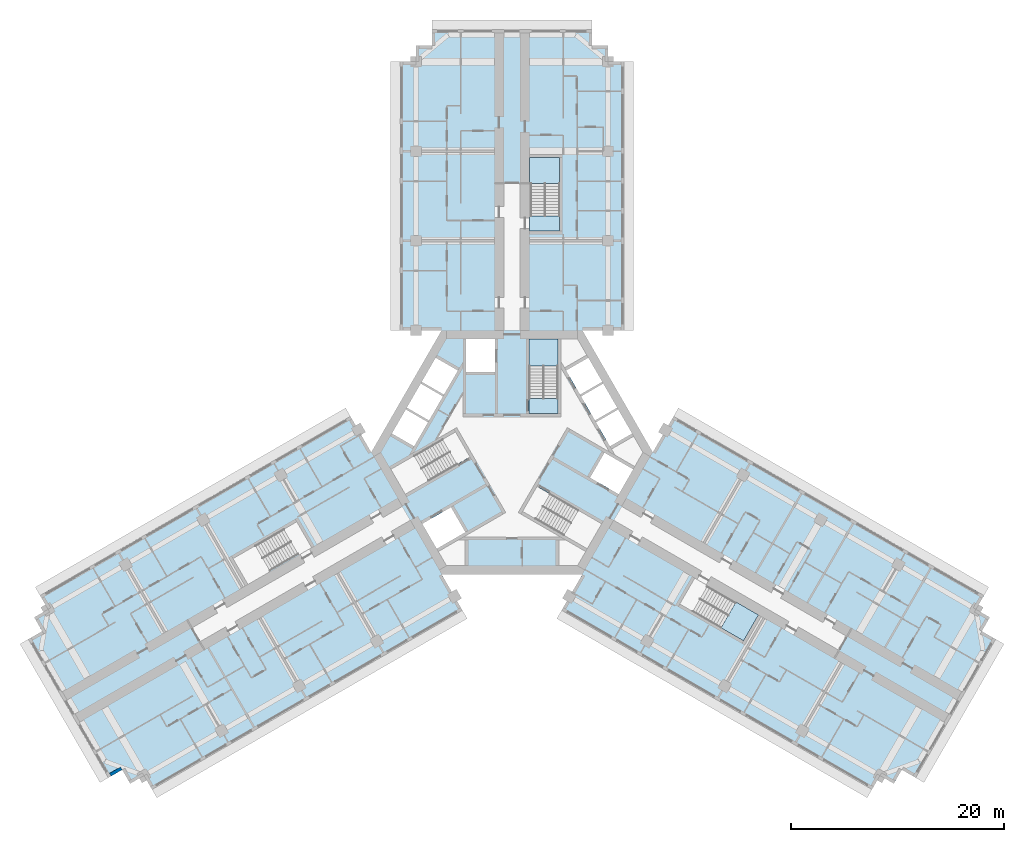
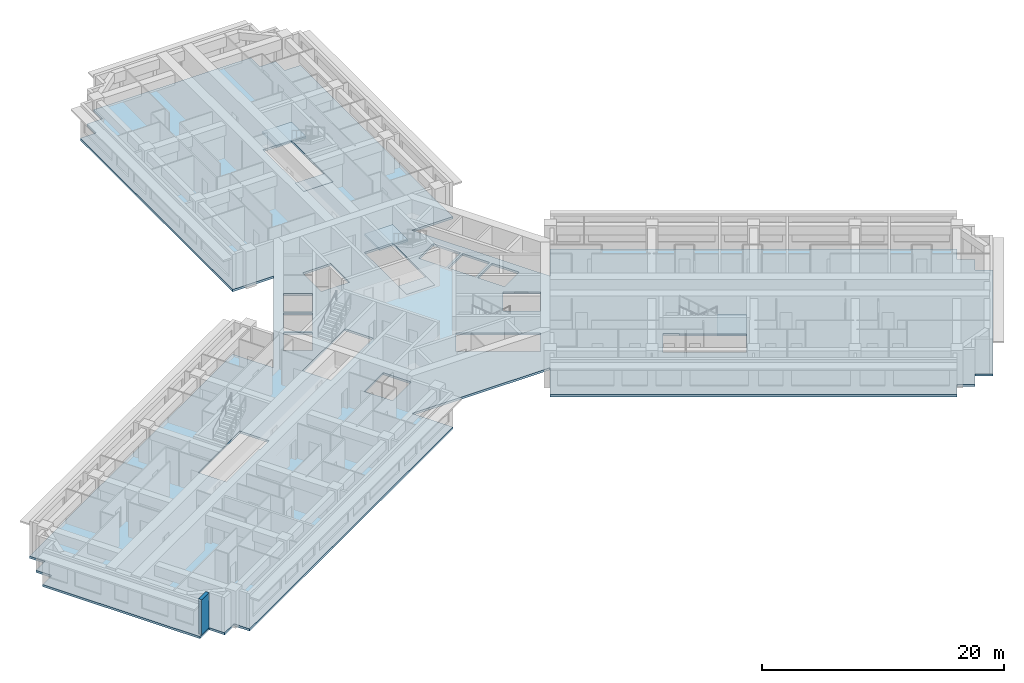
# One storey, part 2 of 14: 6 slabs, 1 wall, 3 elements without a shape of their own.
"""IFC4 building model written with IfcOpenShell, lengths in metres."""

from ifc_helpers import new_model, si_unit, direction, frame, frame_2d, origin, place, context, subcontext, project, spatial, polyline, rectangle, outline, extrude, material, layer, layer_set, type_object, element, aggregate, save


model = new_model("IFC4")

# Units and contexts
model_context = context("Model", 3, precision=1e-05, world=origin(), true_north=direction((0.0, 1.0)))
body_context = subcontext(model_context, "Body", "Model", "MODEL_VIEW")
ifc_project = project(units=[si_unit("LENGTHUNIT", "METRE"), si_unit("AREAUNIT", "SQUARE_METRE"), si_unit("VOLUMEUNIT", "CUBIC_METRE"), si_unit("PLANEANGLEUNIT", "RADIAN"), si_unit("MASSUNIT", "GRAM", prefix="KILO")], contexts=[model_context])

# Site, building, storey
site_placement = place(None, origin())
site = spatial("IfcSite", under=ifc_project, at=site_placement, CompositionType="ELEMENT")
building_placement = place(site_placement, origin())
building = spatial("IfcBuilding", under=site, at=building_placement, Name="Impinga Residences", CompositionType="ELEMENT")
storey_placement = place(building_placement, frame((0.0, 0.0, 121.0)))
storey = spatial("IfcBuildingStorey", under=building, at=storey_placement, Name="L29", CompositionType="ELEMENT", Elevation=121.0)

# Slab
ifc_material_1 = material(Name="Concrete C60/75", Category="concrete")
ifc_layer_1 = layer(ifc_material_1, 0.219970703125)
ifc_layer_set_1 = layer_set([ifc_layer_1], Name="Concrete C60/75")
slab_type_1 = type_object("IfcSlabType", Name="FS1 tower floor slab 220", PredefinedType="FLOOR", material=ifc_layer_set_1)
slab_1_placement = place(storey_placement, frame((0.0, 0.0, -0.219970703125)))
element("IfcSlab", 1, at=slab_1_placement, inside=storey, type_object=slab_type_1, Name="Floor slab FS1 L29", PredefinedType="FLOOR", context=body_context, shape_type="SweptSolid", body=[
    extrude(outline(polyline([(-34.49853515625, -30.31005859375), (-35.797607421875, -31.06005859375), (-36.547607421875, -29.760986328125), (-37.846435546875, -30.510986328125), (-45.346435546875, -17.5205078125), (-44.047607421875, -16.7705078125), (-44.797607421875, -15.471435546875), (-43.49853515625, -14.721435546875), (-44.24853515625, -13.422607421875), (-15.14990234375, 3.37744140625), (-13.199951171875, 0.0), (-6.60009765625, 11.431640625), (-10.5, 11.431640625), (-10.5, 36.631591796875), (-9.0, 36.631591796875), (-9.0, 38.131591796875), (-7.5, 38.131591796875), (-7.5, 39.631591796875), (7.5, 39.631591796875), (7.5, 38.131591796875), (9.0, 38.131591796875), (9.0, 36.631591796875), (10.5, 36.631591796875), (10.5, 11.431640625), (6.60009765625, 11.431640625), (13.199951171875, 0.0), (15.14990234375, 3.37744140625), (44.24853515625, -13.422607421875), (43.49853515625, -14.721435546875), (44.797607421875, -15.471435546875), (44.047607421875, -16.7705078125), (45.346435546875, -17.5205078125), (37.846435546875, -30.510986328125), (36.547607421875, -29.760986328125), (35.797607421875, -31.06005859375), (34.49853515625, -30.31005859375), (33.74853515625, -31.609130859375), (4.64990234375, -14.80908203125), (9.900146484375, -5.7158203125), (6.60009765625, -11.431640625), (-6.60009765625, -11.431640625), (-9.900146484375, -5.7158203125), (-4.64990234375, -14.80908203125), (-33.74853515625, -31.609130859375), (-34.49853515625, -30.31005859375)]), holes=[polyline([(-18.779052734375, -8.936767578125), (-18.8291015625, -8.850341796875), (-18.8291015625, -8.850341796875), (-20.178955078125, -6.511962890625), (-21.391357421875, -7.2119140625), (-21.391357421875, -7.2119140625), (-26.154541015625, -9.9619140625), (-24.8046875, -12.30029296875), (-20.04150390625, -9.55029296875), (-19.991455078125, -9.63671875), (-18.779052734375, -8.936767578125)]), polyline([(-4.37109375, -7.489013671875), (-5.72119140625, -5.150634765625), (-8.4072265625, -6.701416015625), (-7.05712890625, -9.039794921875), (-4.37109375, -7.489013671875)]), polyline([(-3.943603515625, -0.429443359375), (-5.293701171875, 1.908935546875), (-11.357177734375, -1.591796875), (-10.007080078125, -3.93017578125), (-3.943603515625, -0.429443359375)]), polyline([(-7.878662109375, 2.816650390625), (-9.957275390625, 4.016845703125), (-11.257080078125, 1.76513671875), (-9.1787109375, 0.56494140625), (-7.878662109375, 2.816650390625)]), polyline([(-6.478759765625, 5.24169921875), (-8.55712890625, 6.441650390625), (-9.857177734375, 4.18994140625), (-7.77880859375, 2.989990234375), (-6.478759765625, 5.24169921875)]), polyline([(4.300048828125, 3.6298828125), (4.300048828125, 10.631591796875), (1.60009765625, 10.631591796875), (1.60009765625, 3.6298828125), (4.300048828125, 3.6298828125)]), polyline([(-6.378662109375, 5.414794921875), (-5.07861328125, 7.66650390625), (-7.1572265625, 8.866455078125), (-8.457275390625, 6.61474609375), (-6.378662109375, 5.414794921875)]), polyline([(-4.300048828125, 7.530029296875), (-1.60009765625, 7.530029296875), (-1.60009765625, 10.631591796875), (-4.300048828125, 10.631591796875), (-4.300048828125, 7.530029296875)]), polyline([(4.449951171875, 20.7314453125), (4.449951171875, 22.131591796875), (4.449951171875, 27.631591796875), (1.75, 27.631591796875), (1.75, 22.131591796875), (1.64990234375, 22.131591796875), (1.64990234375, 20.7314453125), (1.75, 20.7314453125), (4.449951171875, 20.7314453125)]), polyline([(15.72900390625, -14.219482421875), (21.70458984375, -17.669677734375), (23.0546875, -15.331298828125), (18.29150390625, -12.581298828125), (18.341552734375, -12.49462890625), (17.129150390625, -11.794677734375), (15.72900390625, -14.219482421875)]), polyline([(2.34375, -3.20068359375), (0.99365234375, -5.538818359375), (7.05712890625, -9.039794921875), (8.4072265625, -6.701416015625), (2.34375, -3.20068359375)]), polyline([(7.3212890625, -2.37939453125), (10.007080078125, -3.93017578125), (11.357177734375, -1.591796875), (8.671142578125, -0.041015625), (7.3212890625, -2.37939453125)]), polyline([(7.878662109375, 2.816650390625), (9.1787109375, 0.56494140625), (11.257080078125, 1.76513671875), (9.957275390625, 4.016845703125), (7.878662109375, 2.816650390625)]), polyline([(6.478759765625, 5.24169921875), (7.77880859375, 2.989990234375), (9.857177734375, 4.18994140625), (8.55712890625, 6.441650390625), (6.478759765625, 5.24169921875)]), polyline([(6.378662109375, 5.414794921875), (8.457275390625, 6.61474609375), (7.1572265625, 8.866455078125), (5.07861328125, 7.66650390625), (6.378662109375, 5.414794921875)])]), origin(), (0.0, 0.0, 1.0), 0.219970703125),
])

# Stair, slabs
ifc_material_2 = material(Name="Concrete C40/50", Category="concrete")
stair_type_1 = type_object("IfcStairType", Name="STR core stair 3750 storey, 24 risers", PredefinedType="HALF_TURN_STAIR", material=ifc_material_2)
stair_1_placement = place(storey_placement, origin())
stair_1 = element("IfcStair", 2, at=stair_1_placement, inside=storey, type_object=stair_type_1, Name="Stair ST1 L29", PredefinedType="HALF_TURN_STAIR")
ifc_layer_2 = layer(ifc_material_2, 0.199951171875)
ifc_layer_set_2 = layer_set([ifc_layer_2], Name="Concrete C40/50")
slab_type_2 = type_object("IfcSlabType", Name="LS1 stair landing 200", PredefinedType="LANDING", material=ifc_layer_set_2)
slab_2_placement = place(storey_placement, frame((0.0, 0.0, -0.199951171875)))
slab_2 = element("IfcSlab", 3, at=slab_2_placement, type_object=slab_type_2, Name="ST1 landing 1", PredefinedType="LANDING", context=body_context, shape_type="SweptSolid", body=[
    extrude(outline(polyline([(1.60009765625, 3.6298828125), (4.300048828125, 3.6298828125), (4.300048828125, 5.0400390625), (1.60009765625, 5.0400390625), (1.60009765625, 3.6298828125)])), origin(), (0.0, 0.0, 1.0), 0.199951171875),
])
slab_3_placement = place(storey_placement, frame((0.0, 0.0, 1.675048828125)))
slab_3 = element("IfcSlab", 4, at=slab_3_placement, type_object=slab_type_2, Name="ST1 landing 2", PredefinedType="LANDING", context=body_context, shape_type="SweptSolid", body=[
    extrude(outline(polyline([(1.60009765625, 8.10009765625), (4.300048828125, 8.10009765625), (4.300048828125, 10.631591796875), (1.60009765625, 10.631591796875), (1.60009765625, 8.10009765625)])), origin(), (0.0, 0.0, 1.0), 0.199951171875),
])
aggregate(stair_1, [slab_2, slab_3])

stair_type_2 = type_object("IfcStairType", Name="STR wing stair 3750 storey, 24 risers", PredefinedType="HALF_TURN_STAIR", material=ifc_material_2)
stair_2_placement = place(storey_placement, origin())
stair_2 = element("IfcStair", 5, at=stair_2_placement, inside=storey, type_object=stair_type_2, Name="Stair WS1 L29", PredefinedType="HALF_TURN_STAIR")
slab_4_placement = place(storey_placement, frame((0.0, 0.0, -0.199951171875)))
slab_4 = element("IfcSlab", 6, at=slab_4_placement, type_object=slab_type_2, Name="WS1 landing 1", PredefinedType="LANDING", context=body_context, shape_type="SweptSolid", body=[
    extrude(outline(polyline([(1.64990234375, 20.7314453125), (4.449951171875, 20.7314453125), (4.449951171875, 22.1416015625), (1.64990234375, 22.1416015625), (1.64990234375, 20.7314453125)])), origin(), (0.0, 0.0, 1.0), 0.199951171875),
])
slab_5_placement = place(storey_placement, frame((0.0, 0.0, 1.675048828125)))
slab_5 = element("IfcSlab", 7, at=slab_5_placement, type_object=slab_type_2, Name="WS1 landing 2", PredefinedType="LANDING", context=body_context, shape_type="SweptSolid", body=[
    extrude(outline(polyline([(1.64990234375, 25.201416015625), (4.449951171875, 25.201416015625), (4.449951171875, 27.631591796875), (1.64990234375, 27.631591796875), (1.64990234375, 25.201416015625)])), origin(), (0.0, 0.0, 1.0), 0.199951171875),
])
aggregate(stair_2, [slab_4, slab_5])

# Stair, slab
stair_3_placement = place(storey_placement, origin())
stair_3 = element("IfcStair", 8, at=stair_3_placement, inside=storey, type_object=stair_type_2, Name="Stair WS3 L29", PredefinedType="HALF_TURN_STAIR")
slab_6_placement = place(storey_placement, frame((0.0, 0.0, 1.675048828125)))
slab_6 = element("IfcSlab", 9, at=slab_6_placement, type_object=slab_type_2, Name="WS3 landing 2", PredefinedType="LANDING", context=body_context, shape_type="SweptSolid", body=[
    extrude(outline(polyline([(21.000244140625, -14.02978515625), (19.60009765625, -16.45458984375), (21.70458984375, -17.669677734375), (23.1044921875, -15.24462890625), (21.000244140625, -14.02978515625)])), origin(), (0.0, 0.0, 1.0), 0.199951171875),
])
aggregate(stair_3, [slab_6])

# Wall
ifc_material_3 = material(Name="Terracotta rainscreen on blockwork", Category="masonry")
ifc_layer_3 = layer(ifc_material_3, 0.300048828125)
ifc_layer_set_3 = layer_set([ifc_layer_3], Name="EW1 external wall, terracotta rainscreen on blockwork 300")
wall_type = type_object("IfcWallType", Name="EW1 external wall, terracotta rainscreen on blockwork 300", PredefinedType="SOLIDWALL", material=ifc_layer_set_3)
wall_placement = place(storey_placement, frame((-36.626708984375, -29.633544921875, 0.0), z_axis=(0.0, 0.0, 1.0), x_axis=(-0.866059708757, -0.499940577336, 0.0)))
element("IfcWall", 10, at=wall_placement, inside=storey, type_object=wall_type, Name="External wall EW1 L29", PredefinedType="SOLIDWALL", context=body_context, shape_type="SweptSolid", body=[
    extrude(rectangle(XDim=1.195068359375, YDim=0.300048828125, at=frame_2d((0.59765625, 0.0))), origin(), (0.0, 0.0, 1.0), 3.530029296875),
])

save(model, "model.ifc")
